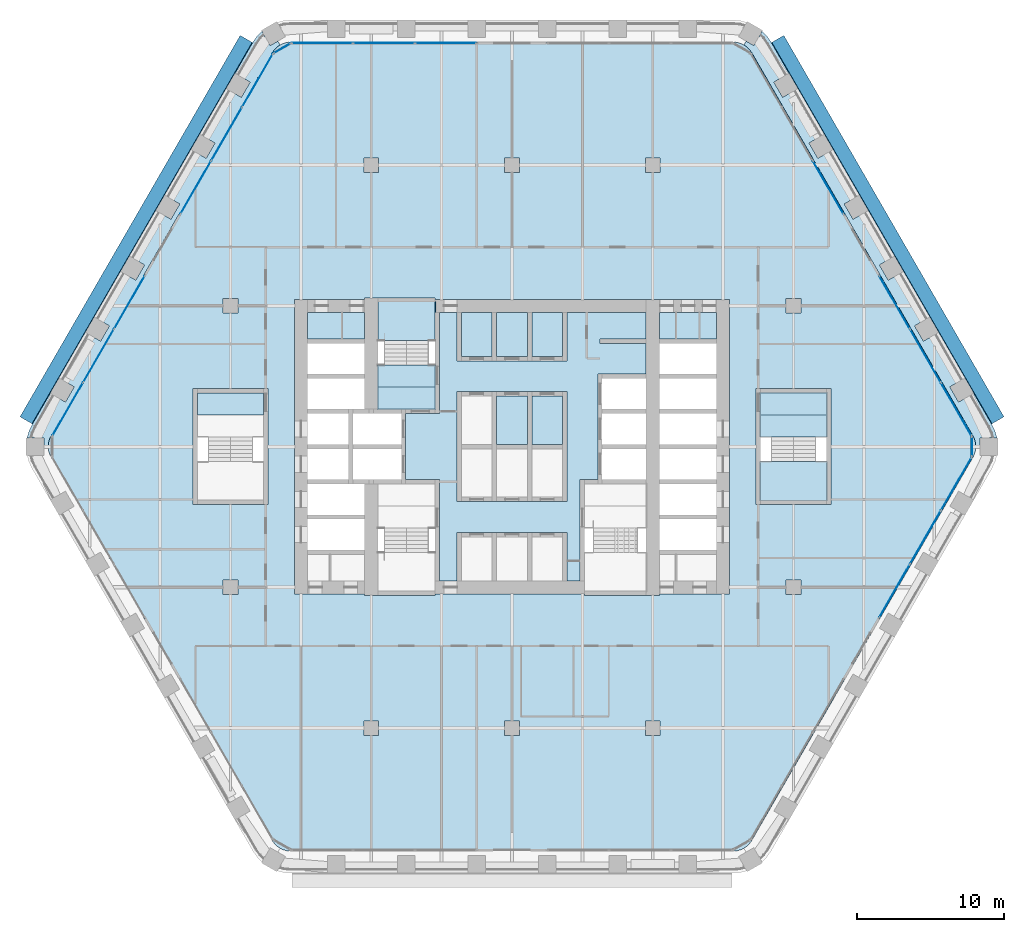
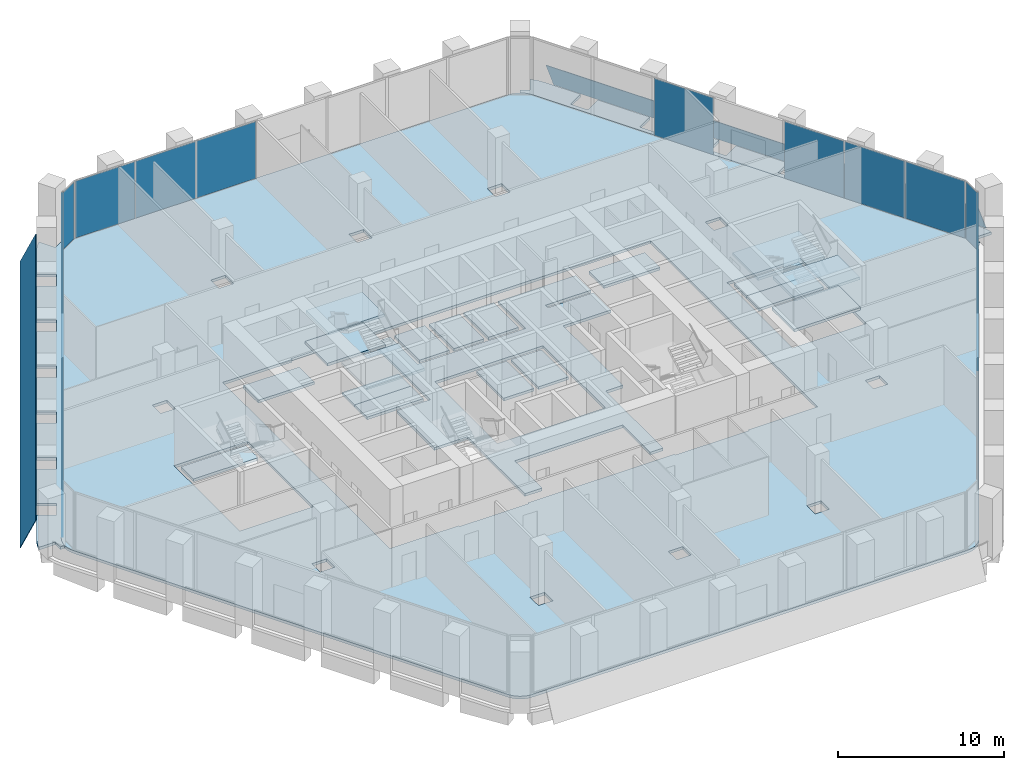
# One storey, part 11 of 23: 22 slabs, 20 plates, 10 elements without a shape of their own.
"""IFC4 building model written with IfcOpenShell, lengths in metres."""

from ifc_helpers import new_model, si_unit, direction, frame, origin, origin_2d, place, context, subcontext, project, spatial, polyline, rectangle, outline, extrude, material, layer, layer_set, type_object, element, aggregate, save


model = new_model("IFC4")

# Units and contexts
model_context = context("Model", 3, precision=1e-05, world=origin(), true_north=direction((0.0, 1.0)))
body_context = subcontext(model_context, "Body", "Model", "MODEL_VIEW")
ifc_project = project(units=[si_unit("LENGTHUNIT", "METRE"), si_unit("AREAUNIT", "SQUARE_METRE"), si_unit("VOLUMEUNIT", "CUBIC_METRE"), si_unit("PLANEANGLEUNIT", "RADIAN"), si_unit("MASSUNIT", "GRAM", prefix="KILO")], contexts=[model_context])

# Site, building, storey
site_placement = place(None, origin())
site = spatial("IfcSite", under=ifc_project, at=site_placement, CompositionType="ELEMENT")
building_placement = place(site_placement, origin())
building = spatial("IfcBuilding", under=site, at=building_placement, Name="Kolab Exchange Tower", CompositionType="ELEMENT")
storey_placement = place(building_placement, frame((0.0, 0.0, 95.89990234375)))
storey = spatial("IfcBuildingStorey", under=building, at=storey_placement, Name="L18", CompositionType="ELEMENT", Elevation=95.89990234375)

# Slabs
ifc_material_1 = material(Name="Concrete C35/45", Category="concrete")
ifc_layer_1 = layer(ifc_material_1, 0.199951171875)
ifc_layer_set_1 = layer_set([ifc_layer_1], Name="Concrete C35/45")
slab_type_1 = type_object("IfcSlabType", Name="FLOOR SLAB 200", PredefinedType="FLOOR", material=ifc_layer_set_1)
slab_1_placement = place(storey_placement, frame((0.0, 0.0, -0.199951171875)))
element("IfcSlab", 1, at=slab_1_placement, inside=storey, type_object=slab_type_1, Name="slab/L18/floor/0", PredefinedType="FLOOR", context=body_context, shape_type="SweptSolid", body=[
    extrude(outline(polyline([(16.366943359375, -26.848388671875), (31.434814453125, -0.75), (31.54541015625, -0.512939453125), (31.613037109375, -0.260498046875), (31.635986328125, 0.0), (31.613037109375, 0.260498046875), (31.54541015625, 0.512939453125), (31.434814453125, 0.75), (16.366943359375, 26.848388671875), (16.217041015625, 27.062744140625), (16.0322265625, 27.24755859375), (15.81787109375, 27.3974609375), (15.5810546875, 27.508056640625), (15.328369140625, 27.57568359375), (15.06787109375, 27.598388671875), (-15.06787109375, 27.598388671875), (-15.328369140625, 27.57568359375), (-15.5810546875, 27.508056640625), (-15.81787109375, 27.3974609375), (-16.0322265625, 27.24755859375), (-16.217041015625, 27.062744140625), (-16.366943359375, 26.848388671875), (-31.434814453125, 0.75), (-31.54541015625, 0.512939453125), (-31.613037109375, 0.260498046875), (-31.635986328125, 0.0), (-31.613037109375, -0.260498046875), (-31.54541015625, -0.512939453125), (-31.434814453125, -0.75), (-16.366943359375, -26.848388671875), (-16.217041015625, -27.062744140625), (-16.0322265625, -27.24755859375), (-15.81787109375, -27.3974609375), (-15.5810546875, -27.508056640625), (-15.328369140625, -27.57568359375), (-15.06787109375, -27.598388671875), (15.06787109375, -27.598388671875), (15.328369140625, -27.57568359375), (15.5810546875, -27.508056640625), (15.81787109375, -27.3974609375), (16.0322265625, -27.24755859375), (16.217041015625, -27.062744140625), (16.366943359375, -26.848388671875)]), holes=[polyline([(-13.949951171875, -10.050048828125), (-14.85009765625, -10.050048828125), (-14.85009765625, 10.050048828125), (-13.949951171875, 10.050048828125), (-10.050048828125, 10.050048828125), (-10.050048828125, 10.14990234375), (-9.14990234375, 10.14990234375), (-5.25, 10.14990234375), (-5.25, 10.050048828125), (9.14990234375, 10.050048828125), (10.050048828125, 10.050048828125), (13.949951171875, 10.050048828125), (14.85009765625, 10.050048828125), (14.85009765625, -10.050048828125), (13.949951171875, -10.050048828125), (10.050048828125, -10.050048828125), (10.050048828125, -10.14990234375), (9.14990234375, -10.14990234375), (4.949951171875, -10.14990234375), (4.949951171875, -10.050048828125), (-5.25, -10.050048828125), (-5.25, -10.14990234375), (-9.14990234375, -10.14990234375), (-10.050048828125, -10.14990234375), (-10.050048828125, -10.050048828125), (-13.949951171875, -10.050048828125)]), polyline([(-18.699951171875, -9.10009765625), (-18.699951171875, -10.10009765625), (-19.699951171875, -10.10009765625), (-19.699951171875, -9.10009765625), (-18.699951171875, -9.10009765625)]), polyline([(-21.449951171875, -3.949951171875), (-21.75, -3.949951171875), (-21.75, 3.949951171875), (-21.449951171875, 3.949951171875), (-16.949951171875, 3.949951171875), (-16.64990234375, 3.949951171875), (-16.64990234375, -3.949951171875), (-16.949951171875, -3.949951171875), (-21.449951171875, -3.949951171875)]), polyline([(-18.699951171875, 10.10009765625), (-18.699951171875, 9.10009765625), (-19.699951171875, 9.10009765625), (-19.699951171875, 10.10009765625), (-18.699951171875, 10.10009765625)]), polyline([(-9.10009765625, -18.699951171875), (-9.10009765625, -19.699951171875), (-10.10009765625, -19.699951171875), (-10.10009765625, -18.699951171875), (-9.10009765625, -18.699951171875)]), polyline([(-9.10009765625, 19.699951171875), (-9.10009765625, 18.699951171875), (-10.10009765625, 18.699951171875), (-10.10009765625, 19.699951171875), (-9.10009765625, 19.699951171875)]), polyline([(9.10009765625, -18.699951171875), (10.10009765625, -18.699951171875), (10.10009765625, -19.699951171875), (9.10009765625, -19.699951171875), (9.10009765625, -18.699951171875)]), polyline([(-0.5, -18.699951171875), (0.5, -18.699951171875), (0.5, -19.699951171875), (-0.5, -19.699951171875), (-0.5, -18.699951171875)]), polyline([(0.5, 19.699951171875), (0.5, 18.699951171875), (-0.5, 18.699951171875), (-0.5, 19.699951171875), (0.5, 19.699951171875)]), polyline([(10.10009765625, 19.699951171875), (10.10009765625, 18.699951171875), (9.10009765625, 18.699951171875), (9.10009765625, 19.699951171875), (10.10009765625, 19.699951171875)]), polyline([(19.699951171875, -9.10009765625), (19.699951171875, -10.10009765625), (18.699951171875, -10.10009765625), (18.699951171875, -9.10009765625), (19.699951171875, -9.10009765625)]), polyline([(21.449951171875, 3.949951171875), (21.75, 3.949951171875), (21.75, -3.949951171875), (21.449951171875, -3.949951171875), (16.949951171875, -3.949951171875), (16.64990234375, -3.949951171875), (16.64990234375, 3.949951171875), (16.949951171875, 3.949951171875), (21.449951171875, 3.949951171875)]), polyline([(19.699951171875, 10.10009765625), (19.699951171875, 9.10009765625), (18.699951171875, 9.10009765625), (18.699951171875, 10.10009765625), (19.699951171875, 10.10009765625)])]), origin(), (0.0, 0.0, 1.0), 0.199951171875),
])
slab_2_placement = place(storey_placement, frame((0.0, 0.0, -0.199951171875)))
element("IfcSlab", 2, at=slab_2_placement, inside=storey, type_object=slab_type_1, Name="slab/L18/floor/1", PredefinedType="FLOOR", context=body_context, shape_type="SweptSolid", body=[
    extrude(outline(polyline([(-4.949951171875, 9.14990234375), (-4.949951171875, 2.25), (-5.25, 2.25), (-7.25, 2.25), (-7.25, -2.25), (-5.25, -2.25), (-4.949951171875, -2.25), (-4.949951171875, -9.14990234375), (-3.75, -9.14990234375), (-3.75, -5.85009765625), (-3.449951171875, -5.85009765625), (-1.35009765625, -5.85009765625), (-1.050048828125, -5.85009765625), (1.050048828125, -5.85009765625), (1.35009765625, -5.85009765625), (3.449951171875, -5.85009765625), (3.75, -5.85009765625), (3.75, -9.14990234375), (4.64990234375, -9.14990234375), (4.64990234375, -2.25), (4.949951171875, -2.25), (5.85009765625, -2.25), (5.85009765625, 4.949951171875), (6.14990234375, 4.949951171875), (9.14990234375, 4.949951171875), (9.14990234375, 7.050048828125), (6.0, 7.050048828125), (6.0, 7.35009765625), (9.14990234375, 7.35009765625), (9.14990234375, 9.14990234375), (3.75, 9.14990234375), (3.75, 5.85009765625), (3.449951171875, 5.85009765625), (1.35009765625, 5.85009765625), (1.050048828125, 5.85009765625), (-1.050048828125, 5.85009765625), (-1.35009765625, 5.85009765625), (-3.449951171875, 5.85009765625), (-3.75, 5.85009765625), (-3.75, 9.14990234375), (-4.949951171875, 9.14990234375)]), holes=[polyline([(-3.75, -3.75), (-3.75, 3.75), (-3.449951171875, 3.75), (-1.35009765625, 3.75), (-1.050048828125, 3.75), (1.050048828125, 3.75), (1.35009765625, 3.75), (3.449951171875, 3.75), (3.75, 3.75), (3.75, -3.75), (3.449951171875, -3.75), (1.35009765625, -3.75), (1.050048828125, -3.75), (-1.050048828125, -3.75), (-1.35009765625, -3.75), (-3.449951171875, -3.75), (-3.75, -3.75)])]), origin(), (0.0, 0.0, 1.0), 0.199951171875),
])
slab_3_placement = place(storey_placement, frame((0.0, 0.0, -0.199951171875)))
element("IfcSlab", 3, at=slab_3_placement, inside=storey, type_object=slab_type_1, Name="slab/L18/floor/3", PredefinedType="FLOOR", context=body_context, shape_type="SweptSolid", body=[
    extrude(outline(polyline([(-10.050048828125, 9.14990234375), (-13.949951171875, 9.14990234375), (-13.949951171875, 7.35009765625), (-10.050048828125, 7.35009765625), (-10.050048828125, 9.14990234375)])), origin(), (0.0, 0.0, 1.0), 0.199951171875),
])
slab_4_placement = place(storey_placement, frame((0.0, 0.0, -0.199951171875)))
element("IfcSlab", 4, at=slab_4_placement, inside=storey, type_object=slab_type_1, Name="slab/L18/floor/5", PredefinedType="FLOOR", context=body_context, shape_type="SweptSolid", body=[
    extrude(outline(polyline([(13.949951171875, 9.14990234375), (10.050048828125, 9.14990234375), (10.050048828125, 7.35009765625), (13.949951171875, 7.35009765625), (13.949951171875, 9.14990234375)])), origin(), (0.0, 0.0, 1.0), 0.199951171875),
])
slab_5_placement = place(storey_placement, frame((0.0, 0.0, -0.199951171875)))
element("IfcSlab", 5, at=slab_5_placement, inside=storey, type_object=slab_type_1, Name="slab/L18/floor/9", PredefinedType="FLOOR", context=body_context, shape_type="SweptSolid", body=[
    extrude(outline(polyline([(-1.050048828125, 3.449951171875), (-1.050048828125, 0.14990234375), (1.050048828125, 0.14990234375), (1.050048828125, 3.449951171875), (-1.050048828125, 3.449951171875)])), origin(), (0.0, 0.0, 1.0), 0.199951171875),
])
slab_6_placement = place(storey_placement, frame((0.0, 0.0, -0.199951171875)))
element("IfcSlab", 6, at=slab_6_placement, inside=storey, type_object=slab_type_1, Name="slab/L18/floor/11", PredefinedType="FLOOR", context=body_context, shape_type="SweptSolid", body=[
    extrude(outline(polyline([(1.35009765625, 0.14990234375), (3.449951171875, 0.14990234375), (3.449951171875, 3.449951171875), (1.35009765625, 3.449951171875), (1.35009765625, 0.14990234375)])), origin(), (0.0, 0.0, 1.0), 0.199951171875),
])
slab_7_placement = place(storey_placement, frame((0.0, 0.0, -0.199951171875)))
element("IfcSlab", 7, at=slab_7_placement, inside=storey, type_object=slab_type_1, Name="slab/L18/floor/12", PredefinedType="FLOOR", context=body_context, shape_type="SweptSolid", body=[
    extrude(outline(polyline([(-21.449951171875, 3.64990234375), (-21.449951171875, 2.14990234375), (-16.949951171875, 2.14990234375), (-16.949951171875, 3.64990234375), (-21.449951171875, 3.64990234375)])), origin(), (0.0, 0.0, 1.0), 0.199951171875),
])
slab_8_placement = place(storey_placement, frame((0.0, 0.0, -0.199951171875)))
element("IfcSlab", 8, at=slab_8_placement, inside=storey, type_object=slab_type_1, Name="slab/L18/floor/13", PredefinedType="FLOOR", context=body_context, shape_type="SweptSolid", body=[
    extrude(outline(polyline([(21.449951171875, 3.64990234375), (16.949951171875, 3.64990234375), (16.949951171875, 2.14990234375), (21.449951171875, 2.14990234375), (21.449951171875, 3.64990234375)])), origin(), (0.0, 0.0, 1.0), 0.199951171875),
])
slab_9_placement = place(storey_placement, frame((0.0, 0.0, -0.199951171875)))
element("IfcSlab", 9, at=slab_9_placement, inside=storey, type_object=slab_type_1, Name="slab/L18/floor/15", PredefinedType="FLOOR", context=body_context, shape_type="SweptSolid", body=[
    extrude(outline(polyline([(-1.35009765625, 6.14990234375), (-1.35009765625, 9.14990234375), (-3.449951171875, 9.14990234375), (-3.449951171875, 6.14990234375), (-1.35009765625, 6.14990234375)])), origin(), (0.0, 0.0, 1.0), 0.199951171875),
])
slab_10_placement = place(storey_placement, frame((0.0, 0.0, -0.199951171875)))
element("IfcSlab", 10, at=slab_10_placement, inside=storey, type_object=slab_type_1, Name="slab/L18/floor/17", PredefinedType="FLOOR", context=body_context, shape_type="SweptSolid", body=[
    extrude(outline(polyline([(-1.050048828125, 9.14990234375), (-1.050048828125, 6.14990234375), (1.050048828125, 6.14990234375), (1.050048828125, 9.14990234375), (-1.050048828125, 9.14990234375)])), origin(), (0.0, 0.0, 1.0), 0.199951171875),
])
slab_11_placement = place(storey_placement, frame((0.0, 0.0, -0.199951171875)))
element("IfcSlab", 11, at=slab_11_placement, inside=storey, type_object=slab_type_1, Name="slab/L18/floor/19", PredefinedType="FLOOR", context=body_context, shape_type="SweptSolid", body=[
    extrude(outline(polyline([(1.35009765625, 6.14990234375), (3.449951171875, 6.14990234375), (3.449951171875, 9.14990234375), (1.35009765625, 9.14990234375), (1.35009765625, 6.14990234375)])), origin(), (0.0, 0.0, 1.0), 0.199951171875),
])
slab_12_placement = place(storey_placement, frame((0.0, 0.0, -0.199951171875)))
element("IfcSlab", 12, at=slab_12_placement, inside=storey, type_object=slab_type_1, Name="slab/L18/floor/22", PredefinedType="FLOOR", context=body_context, shape_type="SweptSolid", body=[
    extrude(outline(polyline([(-5.25, 4.050048828125), (-9.14990234375, 4.050048828125), (-9.14990234375, 2.550048828125), (-7.550048828125, 2.550048828125), (-7.25, 2.550048828125), (-5.25, 2.550048828125), (-5.25, 4.050048828125)])), origin(), (0.0, 0.0, 1.0), 0.199951171875),
])
ifc_layer_2 = layer(ifc_material_1, 0.199951171875)
ifc_layer_set_2 = layer_set([ifc_layer_2], Name="Concrete C35/45")
slab_type_2 = type_object("IfcSlabType", Name="LOGGIA SLAB 200", PredefinedType="FLOOR", material=ifc_layer_set_2)
slab_13_placement = place(storey_placement, frame((0.0, 0.0, -0.199951171875)))
element("IfcSlab", 13, at=slab_13_placement, inside=storey, type_object=slab_type_2, Name="slab/L18/loggia/1-0", PredefinedType="FLOOR", context=body_context, shape_type="SweptSolid", body=[
    extrude(outline(polyline([(31.635986328125, 0.0), (31.935791015625, 0.0), (31.935791015625, 0.60009765625), (33.069091796875, 0.60009765625), (32.955078125, 1.026123046875), (32.73388671875, 1.5), (31.5, 3.63720703125), (30.460693359375, 3.037353515625), (29.86083984375, 4.076416015625), (30.89990234375, 4.676513671875), (29.10009765625, 7.794189453125), (28.060791015625, 7.1943359375), (27.460693359375, 8.2333984375), (28.5, 8.83349609375), (26.699951171875, 11.951171875), (25.660888671875, 11.35107421875), (25.060791015625, 12.390380859375), (26.10009765625, 12.990478515625), (24.300048828125, 16.108154296875), (23.2607421875, 15.508056640625), (22.660888671875, 16.54736328125), (23.699951171875, 17.147216796875), (21.89990234375, 20.264892578125), (20.86083984375, 19.6650390625), (20.2607421875, 20.704345703125), (21.300048828125, 21.30419921875), (19.5, 24.421875), (18.460693359375, 23.822021484375), (17.86083984375, 24.861083984375), (18.89990234375, 25.461181640625), (17.666015625, 27.598388671875), (17.365966796875, 28.02685546875), (17.05419921875, 28.338623046875), (16.487548828125, 27.357177734375), (15.968017578125, 27.6572265625), (15.81787109375, 27.3974609375), (16.0322265625, 27.24755859375), (16.217041015625, 27.062744140625), (16.366943359375, 26.848388671875), (31.434814453125, 0.75), (31.54541015625, 0.512939453125), (31.613037109375, 0.260498046875), (31.635986328125, 0.0)])), origin(), (0.0, 0.0, 1.0), 0.199951171875),
])
slab_14_placement = place(storey_placement, frame((0.0, 0.0, -0.199951171875)))
element("IfcSlab", 14, at=slab_14_placement, inside=storey, type_object=slab_type_2, Name="slab/L18/loggia/5-0", PredefinedType="FLOOR", context=body_context, shape_type="SweptSolid", body=[
    extrude(outline(polyline([(-15.81787109375, 27.3974609375), (-15.968017578125, 27.6572265625), (-16.487548828125, 27.357177734375), (-17.05419921875, 28.338623046875), (-17.365966796875, 28.02685546875), (-17.666015625, 27.598388671875), (-18.89990234375, 25.461181640625), (-17.86083984375, 24.861083984375), (-18.460693359375, 23.822021484375), (-19.5, 24.421875), (-21.300048828125, 21.30419921875), (-20.2607421875, 20.704345703125), (-20.86083984375, 19.6650390625), (-21.89990234375, 20.264892578125), (-23.699951171875, 17.147216796875), (-22.660888671875, 16.54736328125), (-23.2607421875, 15.508056640625), (-24.300048828125, 16.108154296875), (-26.10009765625, 12.990478515625), (-25.060791015625, 12.390380859375), (-25.660888671875, 11.35107421875), (-26.699951171875, 11.951171875), (-28.5, 8.83349609375), (-27.460693359375, 8.2333984375), (-28.060791015625, 7.1943359375), (-29.10009765625, 7.794189453125), (-30.89990234375, 4.676513671875), (-29.86083984375, 4.076416015625), (-30.460693359375, 3.037353515625), (-31.5, 3.63720703125), (-32.73388671875, 1.5), (-32.955078125, 1.026123046875), (-33.069091796875, 0.60009765625), (-31.935791015625, 0.60009765625), (-31.935791015625, 0.0), (-31.635986328125, 0.0), (-31.613037109375, 0.260498046875), (-31.54541015625, 0.512939453125), (-31.434814453125, 0.75), (-16.366943359375, 26.848388671875), (-16.217041015625, 27.062744140625), (-16.0322265625, 27.24755859375), (-15.81787109375, 27.3974609375)])), origin(), (0.0, 0.0, 1.0), 0.199951171875),
])

# Plates
ifc_material_2 = material(Name="Laminated glass, clear", Category="glass")
ifc_layer_3 = layer(ifc_material_2, 0.0400390625)
ifc_layer_set_3 = layer_set([ifc_layer_3], Name="Laminated glass, clear")
plate_type_1 = type_object("IfcPlateType", Name="OUTER SKIN LAMINATED GLASS SHEET 40", PredefinedType="SHEET", material=ifc_layer_set_3)
plate_1_placement = place(storey_placement, frame((18.540283203125, 28.04541015625, -0.73291015625), z_axis=(0.78488749746, 0.453155039209, 0.422613448403), x_axis=(0.499999167166, -0.866025884618, 2.126414e-06)))
element("IfcPlate", 15, at=plate_1_placement, inside=storey, type_object=plate_type_1, Name="Outer skin", PredefinedType="SHEET", context=body_context, shape_type="SweptSolid", body=[
    extrude(outline(polyline([(0.0, 0.0), (30.035931798469555, 0.0), (30.035821559359643, -2.2341565300489714), (-2.087711834573829e-05, -2.2342974723957343), (0.0, 0.0)])), origin(), (0.0, 0.0, -1.0), 0.0400390625),
])
plate_2_placement = place(storey_placement, frame((-33.55810546875, 2.033447265625, -0.73291015625), z_axis=(-0.78488749746, 0.453155039209, 0.422613448403), x_axis=(0.499999167166, 0.866025884618, -2.126414e-06)))
element("IfcPlate", 16, at=plate_2_placement, inside=storey, type_object=plate_type_1, Name="Outer skin", PredefinedType="SHEET", context=body_context, shape_type="SweptSolid", body=[
    extrude(outline(polyline([(0.0, 0.0), (30.035931798469555, 0.0), (30.035952675587897, -2.234297472395734), (0.00011023910991124468, -2.234156530048972), (0.0, 0.0)])), origin(), (0.0, 0.0, -1.0), 0.0400390625),
])

# Stair, slabs
ifc_material_3 = material(Name="Concrete C50/60", Category="concrete")
stair_type_1 = type_object("IfcStairType", Name="STAIR ST1 RISER 160.7", PredefinedType="DOUBLE_RETURN_STAIR", material=ifc_material_3)
stair_1_placement = place(storey_placement, origin())
stair_1 = element("IfcStair", 17, at=stair_1_placement, inside=storey, type_object=stair_type_1, Name="Stair 1", PredefinedType="DOUBLE_RETURN_STAIR")
ifc_layer_4 = layer(ifc_material_3, 0.199951171875)
ifc_layer_set_4 = layer_set([ifc_layer_4], Name="Concrete C50/60")
slab_type_3 = type_object("IfcSlabType", Name="STAIR LANDING 200", PredefinedType="LANDING", material=ifc_layer_set_4)
slab_15_placement = place(storey_placement, frame((0.0, 0.0, -0.199951171875)))
slab_15 = element("IfcSlab", 18, at=slab_15_placement, type_object=slab_type_3, Name="ST1 landing 1", PredefinedType="LANDING", context=body_context, shape_type="SweptSolid", body=[
    extrude(outline(polyline([(-9.14990234375, 4.050048828125), (-5.25, 4.050048828125), (-5.25, 5.550048828125), (-9.14990234375, 5.550048828125), (-9.14990234375, 4.050048828125)])), origin(), (0.0, 0.0, 1.0), 0.199951171875),
])
slab_16_placement = place(storey_placement, frame((0.0, 0.0, 0.925048828125)))
slab_16 = element("IfcSlab", 19, at=slab_16_placement, type_object=slab_type_3, Name="ST1 landing 2", PredefinedType="LANDING", context=body_context, shape_type="SweptSolid", body=[
    extrude(outline(polyline([(-9.2099609375, 7.22998046875), (-5.18994140625, 7.22998046875), (-5.18994140625, 9.909912109375), (-9.2099609375, 9.909912109375), (-9.2099609375, 7.22998046875)])), origin(), (0.0, 0.0, 1.0), 0.199951171875),
])
slab_17_placement = place(storey_placement, frame((0.0, 0.0, 2.050048828125)))
slab_17 = element("IfcSlab", 20, at=slab_17_placement, type_object=slab_type_3, Name="ST1 landing 3", PredefinedType="LANDING", context=body_context, shape_type="SweptSolid", body=[
    extrude(outline(polyline([(-9.2099609375, 2.489990234375), (-5.18994140625, 2.489990234375), (-5.18994140625, 5.550048828125), (-9.2099609375, 5.550048828125), (-9.2099609375, 2.489990234375)])), origin(), (0.0, 0.0, 1.0), 0.199951171875),
])
slab_18_placement = place(storey_placement, frame((0.0, 0.0, 3.175048828125)))
slab_18 = element("IfcSlab", 21, at=slab_18_placement, type_object=slab_type_3, Name="ST1 landing 4", PredefinedType="LANDING", context=body_context, shape_type="SweptSolid", body=[
    extrude(outline(polyline([(-9.14990234375, 7.22998046875), (-5.25, 7.22998046875), (-5.25, 9.909912109375), (-9.14990234375, 9.909912109375), (-9.14990234375, 7.22998046875)])), origin(), (0.0, 0.0, 1.0), 0.199951171875),
])
aggregate(stair_1, [slab_15, slab_16, slab_17, slab_18])

stair_type_2 = type_object("IfcStairType", Name="STAIR ST4 RISER 160.7", PredefinedType="DOUBLE_RETURN_STAIR", material=ifc_material_3)
stair_2_placement = place(storey_placement, origin())
stair_2 = element("IfcStair", 22, at=stair_2_placement, inside=storey, type_object=stair_type_2, Name="Stair 4", PredefinedType="DOUBLE_RETURN_STAIR")
slab_19_placement = place(storey_placement, frame((0.0, 0.0, -0.199951171875)))
slab_19 = element("IfcSlab", 23, at=slab_19_placement, type_object=slab_type_3, Name="ST4 landing 1", PredefinedType="LANDING", context=body_context, shape_type="SweptSolid", body=[
    extrude(outline(polyline([(16.949951171875, 0.64990234375), (21.449951171875, 0.64990234375), (21.449951171875, 2.14990234375), (16.949951171875, 2.14990234375), (16.949951171875, 0.64990234375)])), origin(), (0.0, 0.0, 1.0), 0.199951171875),
])
slab_20_placement = place(storey_placement, frame((0.0, 0.0, 0.925048828125)))
slab_20 = element("IfcSlab", 24, at=slab_20_placement, type_object=slab_type_3, Name="ST4 landing 2", PredefinedType="LANDING", context=body_context, shape_type="SweptSolid", body=[
    extrude(outline(polyline([(16.889892578125, -3.7099609375), (21.510009765625, -3.7099609375), (21.510009765625, -1.030029296875), (16.889892578125, -1.030029296875), (16.889892578125, -3.7099609375)])), origin(), (0.0, 0.0, 1.0), 0.199951171875),
])
slab_21_placement = place(storey_placement, frame((0.0, 0.0, 2.050048828125)))
slab_21 = element("IfcSlab", 25, at=slab_21_placement, type_object=slab_type_3, Name="ST4 landing 3", PredefinedType="LANDING", context=body_context, shape_type="SweptSolid", body=[
    extrude(outline(polyline([(16.889892578125, 0.64990234375), (21.510009765625, 0.64990234375), (21.510009765625, 3.7099609375), (16.889892578125, 3.7099609375), (16.889892578125, 0.64990234375)])), origin(), (0.0, 0.0, 1.0), 0.199951171875),
])
slab_22_placement = place(storey_placement, frame((0.0, 0.0, 3.175048828125)))
slab_22 = element("IfcSlab", 26, at=slab_22_placement, type_object=slab_type_3, Name="ST4 landing 4", PredefinedType="LANDING", context=body_context, shape_type="SweptSolid", body=[
    extrude(outline(polyline([(16.949951171875, -3.7099609375), (21.449951171875, -3.7099609375), (21.449951171875, -1.030029296875), (16.949951171875, -1.030029296875), (16.949951171875, -3.7099609375)])), origin(), (0.0, 0.0, 1.0), 0.199951171875),
])
aggregate(stair_2, [slab_19, slab_20, slab_21, slab_22])

# Curtain wall, plates
ifc_material_4 = material(Name="Aluminium EN AW-6063 T6", Category="aluminium")
curtain_wall_type = type_object("IfcCurtainWallType", Name="UNITISED LOWER MID ZONE CURTAIN WALL", PredefinedType="NOTDEFINED", material=ifc_material_4)
curtain_wall_1_placement = place(storey_placement, origin())
curtain_wall_1 = element("IfcCurtainWall", 27, at=curtain_wall_1_placement, inside=storey, type_object=curtain_wall_type, Name="cw/L18/F1-1", PredefinedType="NOTDEFINED")
ifc_material_5 = material(Name="Clear insulated glazing unit", Category="glass")
ifc_layer_5 = layer(ifc_material_5, 0.02587890625)
ifc_layer_set_5 = layer_set([ifc_layer_5], Name="Clear insulated glazing unit")
plate_type_2 = type_object("IfcPlateType", Name="UNITISED LOWER MID ZONE GLASS PANEL 26", PredefinedType="CURTAIN_PANEL", material=ifc_layer_set_5)
plate_3_placement = place(storey_placement, frame((-12.941650390625, 27.5185546875, 0.06005859375), z_axis=(0.0, 0.0, 1.0), x_axis=(1.0, 0.0, 0.0)))
plate_3 = element("IfcPlate", 28, at=plate_3_placement, type_object=plate_type_2, Name="CW2 panel 1.1", PredefinedType="CURTAIN_PANEL", context=body_context, shape_type="SweptSolid", body=[
    extrude(rectangle(XDim=4.132568359375, YDim=0.02587890625, at=origin_2d()), origin(), (0.0, 0.0, 1.0), 4.179931640625),
])
plate_4_placement = place(storey_placement, frame((-8.73388671875, 27.5185546875, 0.06005859375), z_axis=(0.0, 0.0, 1.0), x_axis=(1.0, 0.0, 0.0)))
plate_4 = element("IfcPlate", 29, at=plate_4_placement, type_object=plate_type_2, Name="CW2 panel 2.1", PredefinedType="CURTAIN_PANEL", context=body_context, shape_type="SweptSolid", body=[
    extrude(rectangle(XDim=4.16259765625, YDim=0.02587890625, at=origin_2d()), origin(), (0.0, 0.0, 1.0), 4.179931640625),
])
plate_5_placement = place(storey_placement, frame((-4.5263671875, 27.5185546875, 0.06005859375), z_axis=(0.0, 0.0, 1.0), x_axis=(1.0, 0.0, 0.0)))
plate_5 = element("IfcPlate", 30, at=plate_5_placement, type_object=plate_type_2, Name="CW2 panel 3.1", PredefinedType="CURTAIN_PANEL", context=body_context, shape_type="SweptSolid", body=[
    extrude(rectangle(XDim=4.132568359375, YDim=0.02587890625, at=origin_2d()), origin(), (0.0, 0.0, 1.0), 4.179931640625),
])
aggregate(curtain_wall_1, [plate_3, plate_4, plate_5])

# Curtain wall, plate
curtain_wall_2_placement = place(storey_placement, origin())
curtain_wall_2 = element("IfcCurtainWall", 31, at=curtain_wall_2_placement, inside=storey, type_object=curtain_wall_type, Name="cw/L18/F2-1", PredefinedType="NOTDEFINED")
plate_6_placement = place(storey_placement, frame((21.568603515625, 17.67919921875, 0.06005859375), z_axis=(0.0, 0.0, 1.0), x_axis=(0.500000017564, -0.866025393644, 0.0)))
plate_6 = element("IfcPlate", 32, at=plate_6_placement, type_object=plate_type_2, Name="CW2 panel 3.1", PredefinedType="CURTAIN_PANEL", context=body_context, shape_type="SweptSolid", body=[
    extrude(rectangle(XDim=4.132568359375, YDim=0.02587890625, at=origin_2d()), origin(), (0.0, 0.0, 1.0), 4.179931640625),
])
aggregate(curtain_wall_2, [plate_6])

# Curtain wall, plates
curtain_wall_3_placement = place(storey_placement, origin())
curtain_wall_3 = element("IfcCurtainWall", 33, at=curtain_wall_3_placement, inside=storey, type_object=curtain_wall_type, Name="cw/L18/F2-2", PredefinedType="NOTDEFINED")
plate_7_placement = place(storey_placement, frame((26.0947265625, 9.83935546875, 0.06005859375), z_axis=(0.0, 0.0, 1.0), x_axis=(0.499999958358, -0.866025427826, 0.0)))
plate_7 = element("IfcPlate", 34, at=plate_7_placement, type_object=plate_type_2, Name="CW2 panel 1.1", PredefinedType="CURTAIN_PANEL", context=body_context, shape_type="SweptSolid", body=[
    extrude(rectangle(XDim=4.132568359375, YDim=0.02587890625, at=origin_2d()), origin(), (0.0, 0.0, 1.0), 4.179931640625),
])
plate_8_placement = place(storey_placement, frame((28.19873046875, 6.1953125, 0.06005859375), z_axis=(0.0, 0.0, 1.0), x_axis=(0.499999958358, -0.866025427826, 0.0)))
plate_8 = element("IfcPlate", 35, at=plate_8_placement, type_object=plate_type_2, Name="CW2 panel 2.1", PredefinedType="CURTAIN_PANEL", context=body_context, shape_type="SweptSolid", body=[
    extrude(rectangle(XDim=4.16259765625, YDim=0.02587890625, at=origin_2d()), origin(), (0.0, 0.0, 1.0), 4.179931640625),
])
plate_9_placement = place(storey_placement, frame((30.302490234375, 2.551513671875, 0.06005859375), z_axis=(0.0, 0.0, 1.0), x_axis=(0.499999958358, -0.866025427826, 0.0)))
plate_9 = element("IfcPlate", 36, at=plate_9_placement, type_object=plate_type_2, Name="CW2 panel 3.1", PredefinedType="CURTAIN_PANEL", context=body_context, shape_type="SweptSolid", body=[
    extrude(rectangle(XDim=4.132568359375, YDim=0.02587890625, at=origin_2d()), origin(), (0.0, 0.0, 1.0), 4.179931640625),
])
aggregate(curtain_wall_3, [plate_7, plate_8, plate_9])

curtain_wall_4_placement = place(storey_placement, origin())
curtain_wall_4 = element("IfcCurtainWall", 37, at=curtain_wall_4_placement, inside=storey, type_object=curtain_wall_type, Name="cw/L18/F3-1", PredefinedType="NOTDEFINED")
plate_10_placement = place(storey_placement, frame((30.302490234375, -2.551513671875, 0.06005859375), z_axis=(0.0, 0.0, 1.0), x_axis=(-0.499999958358, -0.866025427826, 0.0)))
plate_10 = element("IfcPlate", 38, at=plate_10_placement, type_object=plate_type_2, Name="CW2 panel 1.1", PredefinedType="CURTAIN_PANEL", context=body_context, shape_type="SweptSolid", body=[
    extrude(rectangle(XDim=4.132568359375, YDim=0.02587890625, at=origin_2d()), origin(), (0.0, 0.0, 1.0), 4.179931640625),
])
plate_11_placement = place(storey_placement, frame((28.19873046875, -6.1953125, 0.06005859375), z_axis=(0.0, 0.0, 1.0), x_axis=(-0.499999958358, -0.866025427826, 0.0)))
plate_11 = element("IfcPlate", 39, at=plate_11_placement, type_object=plate_type_2, Name="CW2 panel 2.1", PredefinedType="CURTAIN_PANEL", context=body_context, shape_type="SweptSolid", body=[
    extrude(rectangle(XDim=4.16259765625, YDim=0.02587890625, at=origin_2d()), origin(), (0.0, 0.0, 1.0), 4.179931640625),
])
plate_12_placement = place(storey_placement, frame((26.0947265625, -9.83935546875, 0.06005859375), z_axis=(0.0, 0.0, 1.0), x_axis=(-0.499999958358, -0.866025427826, 0.0)))
plate_12 = element("IfcPlate", 40, at=plate_12_placement, type_object=plate_type_2, Name="CW2 panel 3.1", PredefinedType="CURTAIN_PANEL", context=body_context, shape_type="SweptSolid", body=[
    extrude(rectangle(XDim=4.132568359375, YDim=0.02587890625, at=origin_2d()), origin(), (0.0, 0.0, 1.0), 4.179931640625),
])
aggregate(curtain_wall_4, [plate_10, plate_11, plate_12])

curtain_wall_5_placement = place(storey_placement, origin())
curtain_wall_5 = element("IfcCurtainWall", 41, at=curtain_wall_5_placement, inside=storey, type_object=curtain_wall_type, Name="cw/L18/F6-1", PredefinedType="NOTDEFINED")
plate_13_placement = place(storey_placement, frame((-30.302490234375, 2.551513671875, 0.06005859375), z_axis=(0.0, 0.0, 1.0), x_axis=(0.499999958358, 0.866025427826, 0.0)))
plate_13 = element("IfcPlate", 42, at=plate_13_placement, type_object=plate_type_2, Name="CW2 panel 1.1", PredefinedType="CURTAIN_PANEL", context=body_context, shape_type="SweptSolid", body=[
    extrude(rectangle(XDim=4.132568359375, YDim=0.02587890625, at=origin_2d()), origin(), (0.0, 0.0, 1.0), 4.179931640625),
])
plate_14_placement = place(storey_placement, frame((-28.19873046875, 6.1953125, 0.06005859375), z_axis=(0.0, 0.0, 1.0), x_axis=(0.499999958358, 0.866025427826, 0.0)))
plate_14 = element("IfcPlate", 43, at=plate_14_placement, type_object=plate_type_2, Name="CW2 panel 2.1", PredefinedType="CURTAIN_PANEL", context=body_context, shape_type="SweptSolid", body=[
    extrude(rectangle(XDim=4.16259765625, YDim=0.02587890625, at=origin_2d()), origin(), (0.0, 0.0, 1.0), 4.179931640625),
])
plate_15_placement = place(storey_placement, frame((-26.0947265625, 9.83935546875, 0.06005859375), z_axis=(0.0, 0.0, 1.0), x_axis=(0.499999958358, 0.866025427826, 0.0)))
plate_15 = element("IfcPlate", 44, at=plate_15_placement, type_object=plate_type_2, Name="CW2 panel 3.1", PredefinedType="CURTAIN_PANEL", context=body_context, shape_type="SweptSolid", body=[
    extrude(rectangle(XDim=4.132568359375, YDim=0.02587890625, at=origin_2d()), origin(), (0.0, 0.0, 1.0), 4.179931640625),
])
aggregate(curtain_wall_5, [plate_13, plate_14, plate_15])

curtain_wall_6_placement = place(storey_placement, origin())
curtain_wall_6 = element("IfcCurtainWall", 45, at=curtain_wall_6_placement, inside=storey, type_object=curtain_wall_type, Name="cw/L18/F6-2", PredefinedType="NOTDEFINED")
plate_16_placement = place(storey_placement, frame((-21.568603515625, 17.67919921875, 0.06005859375), z_axis=(0.0, 0.0, 1.0), x_axis=(0.500000017564, 0.866025393644, 0.0)))
plate_16 = element("IfcPlate", 46, at=plate_16_placement, type_object=plate_type_2, Name="CW2 panel 1.1", PredefinedType="CURTAIN_PANEL", context=body_context, shape_type="SweptSolid", body=[
    extrude(rectangle(XDim=4.132568359375, YDim=0.02587890625, at=origin_2d()), origin(), (0.0, 0.0, 1.0), 4.179931640625),
])
plate_17_placement = place(storey_placement, frame((-19.464599609375, 21.322998046875, 0.06005859375), z_axis=(0.0, 0.0, 1.0), x_axis=(0.500000017564, 0.866025393644, 0.0)))
plate_17 = element("IfcPlate", 47, at=plate_17_placement, type_object=plate_type_2, Name="CW2 panel 2.1", PredefinedType="CURTAIN_PANEL", context=body_context, shape_type="SweptSolid", body=[
    extrude(rectangle(XDim=4.16259765625, YDim=0.02587890625, at=origin_2d()), origin(), (0.0, 0.0, 1.0), 4.179931640625),
])
plate_18_placement = place(storey_placement, frame((-17.36083984375, 24.967041015625, 0.06005859375), z_axis=(0.0, 0.0, 1.0), x_axis=(0.500000017564, 0.866025393644, 0.0)))
plate_18 = element("IfcPlate", 48, at=plate_18_placement, type_object=plate_type_2, Name="CW2 panel 3.1", PredefinedType="CURTAIN_PANEL", context=body_context, shape_type="SweptSolid", body=[
    extrude(rectangle(XDim=4.132568359375, YDim=0.02587890625, at=origin_2d()), origin(), (0.0, 0.0, 1.0), 4.179931640625),
])
aggregate(curtain_wall_6, [plate_16, plate_17, plate_18])

# Curtain wall, plate
curtain_wall_7_placement = place(storey_placement, origin())
curtain_wall_7 = element("IfcCurtainWall", 49, at=curtain_wall_7_placement, inside=storey, type_object=curtain_wall_type, Name="cw/L18/F2F3-corner", PredefinedType="NOTDEFINED")
plate_19_placement = place(storey_placement, frame((31.36572265625, 0.0, 0.06005859375), z_axis=(0.0, 0.0, 1.0), x_axis=(0.0, -1.0, 0.0)))
plate_19 = element("IfcPlate", 50, at=plate_19_placement, type_object=plate_type_2, Name="CW2 panel 1.1", PredefinedType="CURTAIN_PANEL", context=body_context, shape_type="SweptSolid", body=[
    extrude(rectangle(XDim=1.300048828125, YDim=0.02587890625, at=origin_2d()), origin(), (0.0, 0.0, 1.0), 4.179931640625),
])
aggregate(curtain_wall_7, [plate_19])

curtain_wall_8_placement = place(storey_placement, origin())
curtain_wall_8 = element("IfcCurtainWall", 51, at=curtain_wall_8_placement, inside=storey, type_object=curtain_wall_type, Name="cw/L18/F6F1-corner", PredefinedType="NOTDEFINED")
plate_20_placement = place(storey_placement, frame((-15.682861328125, 27.16357421875, 0.06005859375), z_axis=(0.0, 0.0, 1.0), x_axis=(0.866025390869, 0.50000002237, 0.0)))
plate_20 = element("IfcPlate", 52, at=plate_20_placement, type_object=plate_type_2, Name="CW2 panel 1.1", PredefinedType="CURTAIN_PANEL", context=body_context, shape_type="SweptSolid", body=[
    extrude(rectangle(XDim=1.300048828125, YDim=0.02587890625, at=origin_2d()), origin(), (0.0, 0.0, 1.0), 4.179931640625),
])
aggregate(curtain_wall_8, [plate_20])

save(model, "model.ifc")
